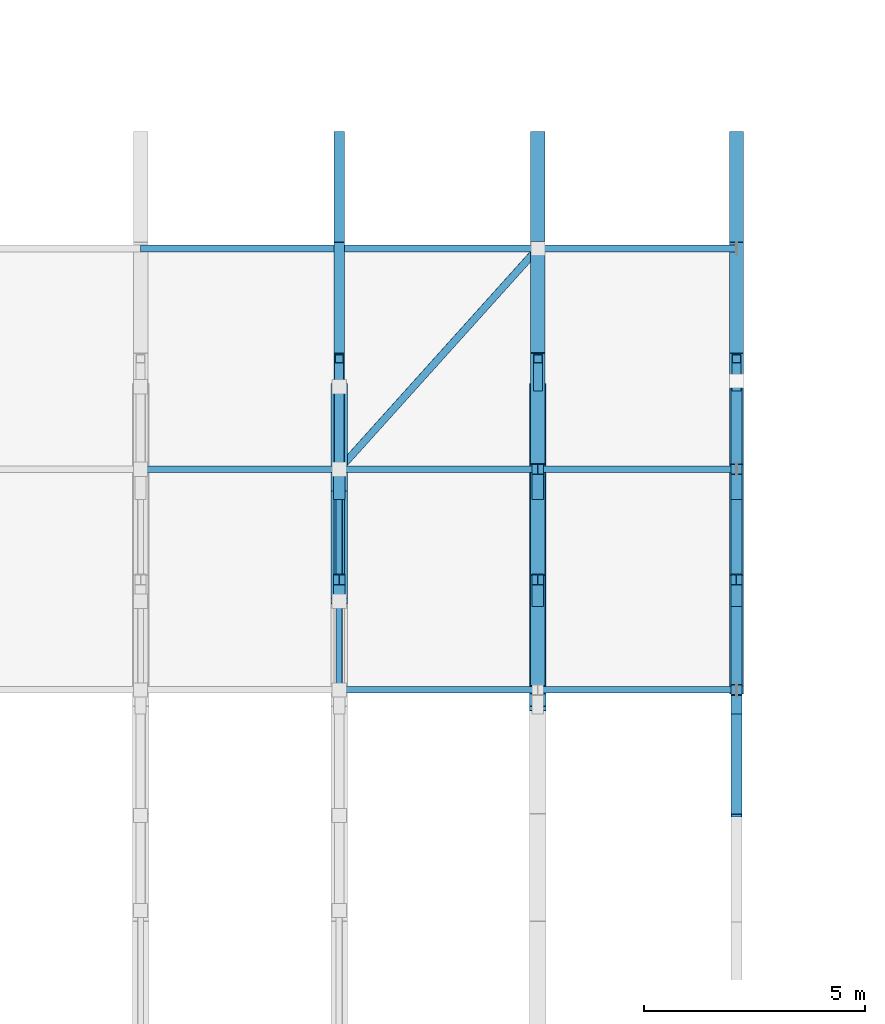
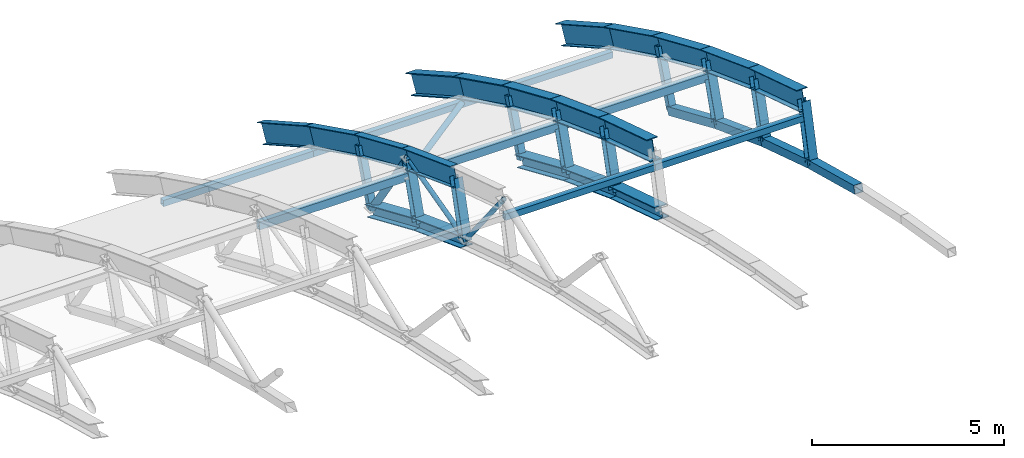
# One storey, part 71 of 103: 31 members, 14 beams.
"""IFC4 building model written with IfcOpenShell, lengths in metres."""

from ifc_helpers import new_model, si_unit, direction, frame, origin, origin_2d, place, context, subcontext, project, spatial, hollow_rectangle, hollow_circle, i_section, extrude, material, material_profile, profile_set, type_object, element, save


model = new_model("IFC4")

# Units and contexts
model_context = context("Model", 3, precision=1e-05, world=origin(), true_north=direction((0.0, 1.0)))
body_context = subcontext(model_context, "Body", "Model", "MODEL_VIEW")
ifc_project = project(units=[si_unit("LENGTHUNIT", "METRE"), si_unit("AREAUNIT", "SQUARE_METRE"), si_unit("VOLUMEUNIT", "CUBIC_METRE"), si_unit("PLANEANGLEUNIT", "RADIAN"), si_unit("MASSUNIT", "GRAM", prefix="KILO")], contexts=[model_context])

# Site, building, storey
site_placement = place(None, origin())
site = spatial("IfcSite", under=ifc_project, at=site_placement, CompositionType="ELEMENT")
building_placement = place(site_placement, origin())
building = spatial("IfcBuilding", under=site, at=building_placement, Name="Cazmaro Siding Exhibition Halls", CompositionType="ELEMENT")
storey_placement = place(building_placement, frame((0.0, 0.0, 16.5)))
storey = spatial("IfcBuildingStorey", under=building, at=storey_placement, Name="L03", CompositionType="ELEMENT", Elevation=16.5)

# Beams
ifc_material_1 = material(Name="Steel ASTM A992 Grade 50", Category="steel")
ifc_material_profile_1 = material_profile(ifc_material_1, i_section(OverallWidth=0.327880859375, OverallDepth=0.626953125, WebThickness=0.01708984375, FlangeThickness=0.028076171875, at=origin_2d()), Name="W24X146")
ifc_profile_set_1 = profile_set([ifc_material_profile_1], Name="Steel ASTM A992 Grade 50")
beam_type_1 = type_object("IfcBeamType", Name="AR-01", PredefinedType="USERDEFINED", material=ifc_profile_set_1)
beam_1_placement = place(storey_placement, frame((166.5, 109.0, 4.85498046875), z_axis=(0.0, 0.952769241759, -0.303695195811), x_axis=(-1.0, 0.0, 0.0)))
element("IfcBeam", 1, at=beam_1_placement, inside=storey, type_object=beam_type_1, Name="Space frame barrel vault arched rib AR-01 BM-1201", ObjectType="ARCHED RIB", PredefinedType="USERDEFINED", context=body_context, shape_type="SweptSolid", body=[
    extrude(i_section(OverallWidth=0.327880859375, OverallDepth=0.626953125, WebThickness=0.01708984375, FlangeThickness=0.028076171875, at=origin_2d()), origin(), (0.0, 0.0, 1.0), 2.6240234375),
])
beam_2_placement = place(storey_placement, frame((166.5, 111.5, 4.05810546875), z_axis=(0.0, 0.936509460339, -0.350642311615), x_axis=(-1.0, 0.0, 0.0)))
element("IfcBeam", 2, at=beam_2_placement, inside=storey, type_object=beam_type_1, Name="Space frame barrel vault arched rib AR-01 BM-1202", ObjectType="ARCHED RIB", PredefinedType="USERDEFINED", context=body_context, shape_type="SweptSolid", body=[
    extrude(i_section(OverallWidth=0.327880859375, OverallDepth=0.626953125, WebThickness=0.01708984375, FlangeThickness=0.028076171875, at=origin_2d()), origin(), (0.0, 0.0, 1.0), 2.66943359375),
])
beam_3_placement = place(storey_placement, frame((166.5, 114.0, 3.1220703125), z_axis=(0.0, 0.917729918626, -0.397204980405), x_axis=(-1.0, 0.0, 0.0)))
element("IfcBeam", 3, at=beam_3_placement, inside=storey, type_object=beam_type_1, Name="Space frame barrel vault arched rib AR-01 BM-1203", ObjectType="ARCHED RIB", PredefinedType="USERDEFINED", context=body_context, shape_type="SweptSolid", body=[
    extrude(i_section(OverallWidth=0.327880859375, OverallDepth=0.626953125, WebThickness=0.01708984375, FlangeThickness=0.028076171875, at=origin_2d()), origin(), (0.0, 0.0, 1.0), 2.72412109375),
])
beam_4_placement = place(storey_placement, frame((166.5, 116.5, 2.0400390625), z_axis=(0.0, 0.895996638269, -0.444060833908), x_axis=(-1.0, 0.0, 0.0)))
element("IfcBeam", 4, at=beam_4_placement, inside=storey, type_object=beam_type_1, Name="Space frame barrel vault arched rib AR-01 BM-1204", ObjectType="ARCHED RIB", PredefinedType="USERDEFINED", context=body_context, shape_type="SweptSolid", body=[
    extrude(i_section(OverallWidth=0.327880859375, OverallDepth=0.626953125, WebThickness=0.01708984375, FlangeThickness=0.028076171875, at=origin_2d()), origin(), (0.0, 0.0, 1.0), 2.790283203125),
])
beam_5_placement = place(storey_placement, frame((166.5, 119.0, 0.801025390625), z_axis=(0.0, 0.871320907359, -0.490713639916), x_axis=(-1.0, 0.0, 0.0)))
element("IfcBeam", 5, at=beam_5_placement, inside=storey, type_object=beam_type_1, Name="Space frame barrel vault arched rib AR-01 BM-1205", ObjectType="ARCHED RIB", PredefinedType="USERDEFINED", context=body_context, shape_type="SweptSolid", body=[
    extrude(i_section(OverallWidth=0.327880859375, OverallDepth=0.626953125, WebThickness=0.01708984375, FlangeThickness=0.028076171875, at=origin_2d()), origin(), (0.0, 0.0, 1.0), 2.869140625),
])
ifc_material_2 = material(Name="Steel ASTM A992 Grade 50", Category="steel")
ifc_material_profile_2 = material_profile(ifc_material_2, i_section(OverallWidth=0.324951171875, OverallDepth=0.612060546875, WebThickness=0.012939453125, FlangeThickness=0.01904296875, at=origin_2d()), Name="W24X104")
ifc_profile_set_2 = profile_set([ifc_material_profile_2], Name="Steel ASTM A992 Grade 50")
beam_type_2 = type_object("IfcBeamType", Name="AR-02", PredefinedType="USERDEFINED", material=ifc_profile_set_2)
beam_6_placement = place(storey_placement, frame((171.0, 109.0, 4.85498046875), z_axis=(0.0, 0.952769241759, -0.303695195811), x_axis=(-1.0, 0.0, 0.0)))
element("IfcBeam", 6, at=beam_6_placement, inside=storey, type_object=beam_type_2, Name="Space frame barrel vault arched rib AR-02 BM-1225", ObjectType="ARCHED RIB", PredefinedType="USERDEFINED", context=body_context, shape_type="SweptSolid", body=[
    extrude(i_section(OverallWidth=0.324951171875, OverallDepth=0.612060546875, WebThickness=0.012939453125, FlangeThickness=0.01904296875, at=origin_2d()), origin(), (0.0, 0.0, 1.0), 2.6240234375),
])
beam_7_placement = place(storey_placement, frame((171.0, 111.5, 4.05810546875), z_axis=(0.0, 0.936509460339, -0.350642311615), x_axis=(-1.0, 0.0, 0.0)))
element("IfcBeam", 7, at=beam_7_placement, inside=storey, type_object=beam_type_2, Name="Space frame barrel vault arched rib AR-02 BM-1226", ObjectType="ARCHED RIB", PredefinedType="USERDEFINED", context=body_context, shape_type="SweptSolid", body=[
    extrude(i_section(OverallWidth=0.324951171875, OverallDepth=0.612060546875, WebThickness=0.012939453125, FlangeThickness=0.01904296875, at=origin_2d()), origin(), (0.0, 0.0, 1.0), 2.66943359375),
])
beam_8_placement = place(storey_placement, frame((171.0, 114.0, 3.1220703125), z_axis=(0.0, 0.917729918626, -0.397204980405), x_axis=(-1.0, 0.0, 0.0)))
element("IfcBeam", 8, at=beam_8_placement, inside=storey, type_object=beam_type_2, Name="Space frame barrel vault arched rib AR-02 BM-1227", ObjectType="ARCHED RIB", PredefinedType="USERDEFINED", context=body_context, shape_type="SweptSolid", body=[
    extrude(i_section(OverallWidth=0.324951171875, OverallDepth=0.612060546875, WebThickness=0.012939453125, FlangeThickness=0.01904296875, at=origin_2d()), origin(), (0.0, 0.0, 1.0), 2.72412109375),
])
beam_9_placement = place(storey_placement, frame((171.0, 116.5, 2.0400390625), z_axis=(0.0, 0.895996638269, -0.444060833908), x_axis=(-1.0, 0.0, 0.0)))
element("IfcBeam", 9, at=beam_9_placement, inside=storey, type_object=beam_type_2, Name="Space frame barrel vault arched rib AR-02 BM-1228", ObjectType="ARCHED RIB", PredefinedType="USERDEFINED", context=body_context, shape_type="SweptSolid", body=[
    extrude(i_section(OverallWidth=0.324951171875, OverallDepth=0.612060546875, WebThickness=0.012939453125, FlangeThickness=0.01904296875, at=origin_2d()), origin(), (0.0, 0.0, 1.0), 2.790283203125),
])
beam_10_placement = place(storey_placement, frame((171.0, 119.0, 0.801025390625), z_axis=(0.0, 0.871320907359, -0.490713639916), x_axis=(-1.0, 0.0, 0.0)))
element("IfcBeam", 10, at=beam_10_placement, inside=storey, type_object=beam_type_2, Name="Space frame barrel vault arched rib AR-02 BM-1229", ObjectType="ARCHED RIB", PredefinedType="USERDEFINED", context=body_context, shape_type="SweptSolid", body=[
    extrude(i_section(OverallWidth=0.324951171875, OverallDepth=0.612060546875, WebThickness=0.012939453125, FlangeThickness=0.01904296875, at=origin_2d()), origin(), (0.0, 0.0, 1.0), 2.869140625),
])
ifc_material_3 = material(Name="Steel ASTM A992 Grade 50", Category="steel")
ifc_material_profile_3 = material_profile(ifc_material_3, i_section(OverallWidth=0.22900390625, OverallDepth=0.612060546875, WebThickness=0.011962890625, FlangeThickness=0.02001953125, at=origin_2d()), Name="W24X84")
ifc_profile_set_3 = profile_set([ifc_material_profile_3], Name="Steel ASTM A992 Grade 50")
beam_type_3 = type_object("IfcBeamType", Name="AR-03", PredefinedType="USERDEFINED", material=ifc_profile_set_3)
beam_11_placement = place(storey_placement, frame((162.0, 111.5, 4.05810546875), z_axis=(0.0, 0.936509460339, -0.350642311615), x_axis=(-1.0, 0.0, 0.0)))
element("IfcBeam", 11, at=beam_11_placement, inside=storey, type_object=beam_type_3, Name="Space frame barrel vault arched rib AR-03 BM-1178", ObjectType="ARCHED RIB", PredefinedType="USERDEFINED", context=body_context, shape_type="SweptSolid", body=[
    extrude(i_section(OverallWidth=0.22900390625, OverallDepth=0.612060546875, WebThickness=0.011962890625, FlangeThickness=0.02001953125, at=origin_2d()), origin(), (0.0, 0.0, 1.0), 2.66943359375),
])
beam_12_placement = place(storey_placement, frame((162.0, 114.0, 3.1220703125), z_axis=(0.0, 0.917729918626, -0.397204980405), x_axis=(-1.0, 0.0, 0.0)))
element("IfcBeam", 12, at=beam_12_placement, inside=storey, type_object=beam_type_3, Name="Space frame barrel vault arched rib AR-03 BM-1179", ObjectType="ARCHED RIB", PredefinedType="USERDEFINED", context=body_context, shape_type="SweptSolid", body=[
    extrude(i_section(OverallWidth=0.22900390625, OverallDepth=0.612060546875, WebThickness=0.011962890625, FlangeThickness=0.02001953125, at=origin_2d()), origin(), (0.0, 0.0, 1.0), 2.72412109375),
])
beam_13_placement = place(storey_placement, frame((162.0, 116.5, 2.0400390625), z_axis=(0.0, 0.895996638269, -0.444060833908), x_axis=(-1.0, 0.0, 0.0)))
element("IfcBeam", 13, at=beam_13_placement, inside=storey, type_object=beam_type_3, Name="Space frame barrel vault arched rib AR-03 BM-1180", ObjectType="ARCHED RIB", PredefinedType="USERDEFINED", context=body_context, shape_type="SweptSolid", body=[
    extrude(i_section(OverallWidth=0.22900390625, OverallDepth=0.612060546875, WebThickness=0.011962890625, FlangeThickness=0.02001953125, at=origin_2d()), origin(), (0.0, 0.0, 1.0), 2.790283203125),
])
beam_14_placement = place(storey_placement, frame((162.0, 119.0, 0.801025390625), z_axis=(0.0, 0.871320907359, -0.490713639916), x_axis=(-1.0, 0.0, 0.0)))
element("IfcBeam", 14, at=beam_14_placement, inside=storey, type_object=beam_type_3, Name="Space frame barrel vault arched rib AR-03 BM-1181", ObjectType="ARCHED RIB", PredefinedType="USERDEFINED", context=body_context, shape_type="SweptSolid", body=[
    extrude(i_section(OverallWidth=0.22900390625, OverallDepth=0.612060546875, WebThickness=0.011962890625, FlangeThickness=0.02001953125, at=origin_2d()), origin(), (0.0, 0.0, 1.0), 2.869140625),
])

# Members
ifc_material_4 = material(Name="Steel ASTM A500 Grade C", Category="steel")
ifc_material_profile_4 = material_profile(ifc_material_4, hollow_rectangle(XDim=0.152099609375, YDim=0.202880859375, WallThickness=0.011962890625, at=origin_2d()), Name="HSS8X6X1/2")
ifc_profile_set_4 = profile_set([ifc_material_profile_4], Name="Steel ASTM A500 Grade C")
member_type_1 = type_object("IfcMemberType", Name="RP-01", PredefinedType="PURLIN", material=ifc_profile_set_4)
for number, where, z_axis, x_axis, name in (
    (15, (157.5, 119.0, 0.260986328125), (1.0, 0.0, 0.0), (0.0, 1.0, 0.0), "Space frame barrel vault purlin RP-01 MEM-2273"),
    (16, (162.0, 109.0, 4.31494140625), (1.0, 0.0, 0.0), (0.0, 1.0, 0.0), "Space frame barrel vault purlin RP-01 MEM-2282"),
    (17, (162.0, 119.0, 0.260986328125), (1.0, 0.0, 0.0), (0.0, 1.0, 0.0), "Space frame barrel vault purlin RP-01 MEM-2284"),
    (18, (166.5, 109.0, 4.31494140625), (1.0, 0.0, 0.0), (0.0, 1.0, 0.0), "Space frame barrel vault purlin RP-01 MEM-2299"),
    (19, (166.5, 119.0, 0.260986328125), (1.0, 0.0, 0.0), (0.0, 1.0, 0.0), "Space frame barrel vault purlin RP-01 MEM-2301"),
):
    element("IfcMember", number, at=place(storey_placement, frame(where, z_axis=z_axis, x_axis=x_axis)), inside=storey, type_object=member_type_1, Name=name, PredefinedType="PURLIN", context=body_context, shape_type="SweptSolid", body=[
        extrude(hollow_rectangle(XDim=0.152099609375, YDim=0.202880859375, WallThickness=0.011962890625, at=origin_2d()), origin(), (0.0, 0.0, 1.0), 4.5),
    ])
ifc_material_5 = material(Name="Steel ASTM A500 Grade C", Category="steel")
ifc_material_profile_5 = material_profile(ifc_material_5, hollow_rectangle(XDim=0.152099609375, YDim=0.25390625, WallThickness=0.011962890625, at=origin_2d()), Name="HSS10X6X1/2")
ifc_profile_set_5 = profile_set([ifc_material_profile_5], Name="Steel ASTM A500 Grade C")
member_type_2 = type_object("IfcMemberType", Name="RP-04", PredefinedType="PURLIN", material=ifc_profile_set_5)
for number, where, z_axis, x_axis, name in (
    (20, (157.5, 114.0, 2.58203125), (1.0, 0.0, 0.0), (0.0, 1.0, 0.0), "Space frame barrel vault purlin RP-04 MEM-2272"),
    (21, (162.0, 114.0, 2.58203125), (1.0, 0.0, 0.0), (0.0, 1.0, 0.0), "Space frame barrel vault purlin RP-04 MEM-2283"),
    (22, (166.5, 114.0, 2.58203125), (1.0, 0.0, 0.0), (0.0, 1.0, 0.0), "Space frame barrel vault purlin RP-04 MEM-2300"),
):
    element("IfcMember", number, at=place(storey_placement, frame(where, z_axis=z_axis, x_axis=x_axis)), inside=storey, type_object=member_type_2, Name=name, PredefinedType="PURLIN", context=body_context, shape_type="SweptSolid", body=[
        extrude(hollow_rectangle(XDim=0.152099609375, YDim=0.25390625, WallThickness=0.011962890625, at=origin_2d()), origin(), (0.0, 0.0, 1.0), 4.5),
    ])
ifc_material_6 = material(Name="Steel ASTM A500 Grade C", Category="steel")
ifc_material_profile_6 = material_profile(ifc_material_6, hollow_rectangle(XDim=0.25390625, YDim=0.25390625, WallThickness=0.014892578125, at=origin_2d()), Name="HSS10X10X5/8")
ifc_profile_set_6 = profile_set([ifc_material_profile_6], Name="Steel ASTM A500 Grade C")
member_type_3 = type_object("IfcMemberType", Name="TC-01", PredefinedType="CHORD", material=ifc_profile_set_6)
member_1_placement = place(storey_placement, frame((171.0, 106.14990234375, 3.760986328125), z_axis=(0.0, 0.966437683387, -0.256901156343), x_axis=(-1.0, 0.0, 0.0)))
element("IfcMember", 23, at=member_1_placement, inside=storey, type_object=member_type_3, Name="Space frame barrel vault bottom chord TC-01 MEM-1934", PredefinedType="CHORD", context=body_context, shape_type="SweptSolid", body=[
    extrude(hollow_rectangle(XDim=0.25390625, YDim=0.25390625, WallThickness=0.014892578125, at=origin_2d()), origin(), (0.0, 0.0, 1.0), 2.5146484375),
])
member_2_placement = place(storey_placement, frame((171.0, 108.580078125, 3.114990234375), z_axis=(0.0, 0.952692842525, -0.303934775573), x_axis=(-1.0, 0.0, 0.0)))
element("IfcMember", 24, at=member_2_placement, inside=storey, type_object=member_type_3, Name="Space frame barrel vault bottom chord TC-01 MEM-1935", PredefinedType="CHORD", context=body_context, shape_type="SweptSolid", body=[
    extrude(hollow_rectangle(XDim=0.25390625, YDim=0.25390625, WallThickness=0.014892578125, at=origin_2d()), origin(), (0.0, 0.0, 1.0), 2.549560546875),
])
member_3_placement = place(storey_placement, frame((171.0, 111.009033203125, 2.340087890625), z_axis=(0.0, 0.936588022869, -0.350432412053), x_axis=(-1.0, 0.0, 0.0)))
element("IfcMember", 25, at=member_3_placement, inside=storey, type_object=member_type_3, Name="Space frame barrel vault bottom chord TC-01 MEM-1936", PredefinedType="CHORD", context=body_context, shape_type="SweptSolid", body=[
    extrude(hollow_rectangle(XDim=0.25390625, YDim=0.25390625, WallThickness=0.014892578125, at=origin_2d()), origin(), (0.0, 0.0, 1.0), 2.594482421875),
])
member_4_placement = place(storey_placement, frame((171.0, 113.43896484375, 1.430908203125), z_axis=(0.0, 0.917689003843, -0.397299499403), x_axis=(-1.0, 0.0, 0.0)))
element("IfcMember", 26, at=member_4_placement, inside=storey, type_object=member_type_3, Name="Space frame barrel vault bottom chord TC-01 MEM-1937", PredefinedType="CHORD", context=body_context, shape_type="SweptSolid", body=[
    extrude(hollow_rectangle(XDim=0.25390625, YDim=0.25390625, WallThickness=0.014892578125, at=origin_2d()), origin(), (0.0, 0.0, 1.0), 2.64794921875),
])
ifc_material_7 = material(Name="Steel ASTM A992 Grade 50", Category="steel")
ifc_material_profile_7 = material_profile(ifc_material_7, i_section(OverallWidth=0.37109375, OverallDepth=0.364013671875, WebThickness=0.012939453125, FlangeThickness=0.02197265625, at=origin_2d()), Name="W14X109")
ifc_profile_set_7 = profile_set([ifc_material_profile_7], Name="Steel ASTM A992 Grade 50")
member_type_4 = type_object("IfcMemberType", Name="TC-06", PredefinedType="CHORD", material=ifc_profile_set_7)
member_5_placement = place(storey_placement, frame((162.0, 111.009033203125, 2.340087890625), z_axis=(0.0, 0.936588022869, -0.350432412053), x_axis=(-1.0, 0.0, 0.0)))
element("IfcMember", 27, at=member_5_placement, inside=storey, type_object=member_type_4, Name="Space frame barrel vault bottom chord TC-06 MEM-1837", PredefinedType="CHORD", context=body_context, shape_type="SweptSolid", body=[
    extrude(i_section(OverallWidth=0.37109375, OverallDepth=0.364013671875, WebThickness=0.012939453125, FlangeThickness=0.02197265625, at=origin_2d()), origin(), (0.0, 0.0, 1.0), 2.594482421875),
])
member_6_placement = place(storey_placement, frame((162.0, 113.43896484375, 1.430908203125), z_axis=(0.0, 0.917689003843, -0.397299499403), x_axis=(-1.0, 0.0, 0.0)))
element("IfcMember", 28, at=member_6_placement, inside=storey, type_object=member_type_4, Name="Space frame barrel vault bottom chord TC-06 MEM-1839", PredefinedType="CHORD", context=body_context, shape_type="SweptSolid", body=[
    extrude(i_section(OverallWidth=0.37109375, OverallDepth=0.364013671875, WebThickness=0.012939453125, FlangeThickness=0.02197265625, at=origin_2d()), origin(), (0.0, 0.0, 1.0), 2.64794921875),
])
member_7_placement = place(storey_placement, frame((166.5, 108.580078125, 3.114990234375), z_axis=(0.0, 0.952692842525, -0.303934775573), x_axis=(-1.0, 0.0, 0.0)))
element("IfcMember", 29, at=member_7_placement, inside=storey, type_object=member_type_4, Name="Space frame barrel vault bottom chord TC-06 MEM-1888", PredefinedType="CHORD", context=body_context, shape_type="SweptSolid", body=[
    extrude(i_section(OverallWidth=0.37109375, OverallDepth=0.364013671875, WebThickness=0.012939453125, FlangeThickness=0.02197265625, at=origin_2d()), origin(), (0.0, 0.0, 1.0), 2.549560546875),
])
member_8_placement = place(storey_placement, frame((166.5, 111.009033203125, 2.340087890625), z_axis=(0.0, 0.936588022869, -0.350432412053), x_axis=(-1.0, 0.0, 0.0)))
element("IfcMember", 30, at=member_8_placement, inside=storey, type_object=member_type_4, Name="Space frame barrel vault bottom chord TC-06 MEM-1889", PredefinedType="CHORD", context=body_context, shape_type="SweptSolid", body=[
    extrude(i_section(OverallWidth=0.37109375, OverallDepth=0.364013671875, WebThickness=0.012939453125, FlangeThickness=0.02197265625, at=origin_2d()), origin(), (0.0, 0.0, 1.0), 2.594482421875),
])
member_9_placement = place(storey_placement, frame((166.5, 113.43896484375, 1.430908203125), z_axis=(0.0, 0.917689003843, -0.397299499403), x_axis=(-1.0, 0.0, 0.0)))
element("IfcMember", 31, at=member_9_placement, inside=storey, type_object=member_type_4, Name="Space frame barrel vault bottom chord TC-06 MEM-1890", PredefinedType="CHORD", context=body_context, shape_type="SweptSolid", body=[
    extrude(i_section(OverallWidth=0.37109375, OverallDepth=0.364013671875, WebThickness=0.012939453125, FlangeThickness=0.02197265625, at=origin_2d()), origin(), (0.0, 0.0, 1.0), 2.64794921875),
])
ifc_material_8 = material(Name="Steel ASTM A500 Grade C", Category="steel")
ifc_material_profile_8 = material_profile(ifc_material_8, hollow_rectangle(XDim=0.202880859375, YDim=0.202880859375, WallThickness=0.011962890625, at=origin_2d()), Name="HSS8X8X1/2")
ifc_profile_set_8 = profile_set([ifc_material_profile_8], Name="Steel ASTM A500 Grade C")
member_type_5 = type_object("IfcMemberType", Name="TP-01", PredefinedType="POST", material=ifc_profile_set_8)
for number, where, z_axis, x_axis, name in (
    (32, (162.0, 115.868896484375, 0.37890625), (0.0, 0.355155331276, 0.934807301355), (-1.0, 0.0, 0.0), "Space frame barrel vault post TP-01 MEM-1867"),
    (33, (166.5, 115.868896484375, 0.37890625), (0.0, 0.355155331276, 0.934807301355), (-1.0, 0.0, 0.0), "Space frame barrel vault post TP-01 MEM-1914"),
    (34, (171.0, 115.868896484375, 0.37890625), (0.0, 0.355155331276, 0.934807301355), (-1.0, 0.0, 0.0), "Space frame barrel vault post TP-01 MEM-1961"),
):
    element("IfcMember", number, at=place(storey_placement, frame(where, z_axis=z_axis, x_axis=x_axis)), inside=storey, type_object=member_type_5, Name=name, PredefinedType="POST", context=body_context, shape_type="SweptSolid", body=[
        extrude(hollow_rectangle(XDim=0.202880859375, YDim=0.202880859375, WallThickness=0.011962890625, at=origin_2d()), origin(), (0.0, 0.0, 1.0), 1.777099609375),
    ])
ifc_material_9 = material(Name="Steel ASTM A992 Grade 50", Category="steel")
ifc_material_profile_9 = material_profile(ifc_material_9, i_section(OverallWidth=0.25390625, OverallDepth=0.25390625, WebThickness=0.009033203125, FlangeThickness=0.013916015625, at=origin_2d()), Name="W10X49")
ifc_profile_set_9 = profile_set([ifc_material_profile_9], Name="Steel ASTM A992 Grade 50")
member_type_6 = type_object("IfcMemberType", Name="TP-04", PredefinedType="POST", material=ifc_profile_set_9)
member_10_placement = place(storey_placement, frame((162.0, 111.009033203125, 2.340087890625), z_axis=(0.0, 0.274775266308, 0.961508477875), x_axis=(-1.0, 0.0, 0.0)))
element("IfcMember", 35, at=member_10_placement, inside=storey, type_object=member_type_6, Name="Space frame barrel vault post TP-04 MEM-1865", PredefinedType="POST", context=body_context, shape_type="SweptSolid", body=[
    extrude(i_section(OverallWidth=0.25390625, OverallDepth=0.25390625, WebThickness=0.009033203125, FlangeThickness=0.013916015625, at=origin_2d()), origin(), (0.0, 0.0, 1.0), 1.786865234375),
])
member_11_placement = place(storey_placement, frame((162.0, 113.43896484375, 1.430908203125), z_axis=(0.0, 0.314870949103, 0.949134492794), x_axis=(-1.0, 0.0, 0.0)))
element("IfcMember", 36, at=member_11_placement, inside=storey, type_object=member_type_6, Name="Space frame barrel vault post TP-04 MEM-1866", PredefinedType="POST", context=body_context, shape_type="SweptSolid", body=[
    extrude(i_section(OverallWidth=0.25390625, OverallDepth=0.25390625, WebThickness=0.009033203125, FlangeThickness=0.013916015625, at=origin_2d()), origin(), (0.0, 0.0, 1.0), 1.78173828125),
])
member_12_placement = place(storey_placement, frame((166.5, 111.009033203125, 2.340087890625), z_axis=(0.0, 0.274775266308, 0.961508477875), x_axis=(-1.0, 0.0, 0.0)))
element("IfcMember", 37, at=member_12_placement, inside=storey, type_object=member_type_6, Name="Space frame barrel vault post TP-04 MEM-1912", PredefinedType="POST", context=body_context, shape_type="SweptSolid", body=[
    extrude(i_section(OverallWidth=0.25390625, OverallDepth=0.25390625, WebThickness=0.009033203125, FlangeThickness=0.013916015625, at=origin_2d()), origin(), (0.0, 0.0, 1.0), 1.786865234375),
])
member_13_placement = place(storey_placement, frame((166.5, 113.43896484375, 1.430908203125), z_axis=(0.0, 0.314870949103, 0.949134492794), x_axis=(-1.0, 0.0, 0.0)))
element("IfcMember", 38, at=member_13_placement, inside=storey, type_object=member_type_6, Name="Space frame barrel vault post TP-04 MEM-1913", PredefinedType="POST", context=body_context, shape_type="SweptSolid", body=[
    extrude(i_section(OverallWidth=0.25390625, OverallDepth=0.25390625, WebThickness=0.009033203125, FlangeThickness=0.013916015625, at=origin_2d()), origin(), (0.0, 0.0, 1.0), 1.78173828125),
])
member_14_placement = place(storey_placement, frame((171.0, 108.580078125, 3.114990234375), z_axis=(0.0, 0.234600533729, 0.972091862724), x_axis=(-1.0, 0.0, 0.0)))
element("IfcMember", 39, at=member_14_placement, inside=storey, type_object=member_type_6, Name="Space frame barrel vault post TP-04 MEM-1958", PredefinedType="POST", context=body_context, shape_type="SweptSolid", body=[
    extrude(i_section(OverallWidth=0.25390625, OverallDepth=0.25390625, WebThickness=0.009033203125, FlangeThickness=0.013916015625, at=origin_2d()), origin(), (0.0, 0.0, 1.0), 1.7900390625),
])
member_15_placement = place(storey_placement, frame((171.0, 111.009033203125, 2.340087890625), z_axis=(0.0, 0.274775266308, 0.961508477875), x_axis=(-1.0, 0.0, 0.0)))
element("IfcMember", 40, at=member_15_placement, inside=storey, type_object=member_type_6, Name="Space frame barrel vault post TP-04 MEM-1959", PredefinedType="POST", context=body_context, shape_type="SweptSolid", body=[
    extrude(i_section(OverallWidth=0.25390625, OverallDepth=0.25390625, WebThickness=0.009033203125, FlangeThickness=0.013916015625, at=origin_2d()), origin(), (0.0, 0.0, 1.0), 1.786865234375),
])
member_16_placement = place(storey_placement, frame((171.0, 113.43896484375, 1.430908203125), z_axis=(0.0, 0.314870949103, 0.949134492794), x_axis=(-1.0, 0.0, 0.0)))
element("IfcMember", 41, at=member_16_placement, inside=storey, type_object=member_type_6, Name="Space frame barrel vault post TP-04 MEM-1960", PredefinedType="POST", context=body_context, shape_type="SweptSolid", body=[
    extrude(i_section(OverallWidth=0.25390625, OverallDepth=0.25390625, WebThickness=0.009033203125, FlangeThickness=0.013916015625, at=origin_2d()), origin(), (0.0, 0.0, 1.0), 1.78173828125),
])
ifc_material_10 = material(Name="Steel ASTM A500 Grade C", Category="steel")
ifc_material_profile_10 = material_profile(ifc_material_10, hollow_circle(Radius=0.109619140625, WallThickness=0.012939453125, at=origin_2d()), Name="PIPE8XS")
ifc_profile_set_10 = profile_set([ifc_material_profile_10], Name="Steel ASTM A500 Grade C")
member_type_7 = type_object("IfcMemberType", Name="WB-01", PredefinedType="BRACE", material=ifc_profile_set_10)
member_17_placement = place(storey_placement, frame((162.0, 114.0, 3.1220703125), z_axis=(0.0, 0.563040090795, -0.826429583302), x_axis=(-1.0, 0.0, 0.0)))
element("IfcMember", 42, at=member_17_placement, inside=storey, type_object=member_type_7, Name="Space frame barrel vault diagonal WB-01 MEM-1840", PredefinedType="BRACE", context=body_context, shape_type="SweptSolid", body=[
    extrude(hollow_circle(Radius=0.109619140625, WallThickness=0.012939453125, at=origin_2d()), origin(), (0.0, 0.0, 1.0), 3.3193359375),
])
ifc_material_11 = material(Name="Steel ASTM A500 Grade C", Category="steel")
ifc_material_profile_11 = material_profile(ifc_material_11, hollow_circle(Radius=0.083984375, WallThickness=0.01806640625, at=origin_2d()), Name="PIPE6XXS")
ifc_profile_set_11 = profile_set([ifc_material_profile_11], Name="Steel ASTM A500 Grade C")
member_type_8 = type_object("IfcMemberType", Name="WB-05", PredefinedType="BRACE", material=ifc_profile_set_11)
member_18_placement = place(storey_placement, frame((162.0, 114.0, 2.58203125), z_axis=(0.632379029545, 0.702643366161, -0.326173363384), x_axis=(-0.743294146247, 0.668964731622, 0.0)))
element("IfcMember", 43, at=member_18_placement, inside=storey, type_object=member_type_8, Name="Space frame barrel vault wind brace WB-05 MEM-2288", PredefinedType="BRACE", context=body_context, shape_type="SweptSolid", body=[
    extrude(hollow_circle(Radius=0.083984375, WallThickness=0.01806640625, at=origin_2d()), origin(), (0.0, 0.0, 1.0), 7.115966796875),
])
ifc_material_12 = material(Name="Steel ASTM A500 Grade C", Category="steel")
ifc_material_profile_12 = material_profile(ifc_material_12, hollow_circle(Radius=0.070556640625, WallThickness=0.01904296875, at=origin_2d()), Name="PIPE5XXS")
ifc_profile_set_12 = profile_set([ifc_material_profile_12], Name="Steel ASTM A500 Grade C")
member_type_9 = type_object("IfcMemberType", Name="WB-07", PredefinedType="BRACE", material=ifc_profile_set_12)
member_19_placement = place(storey_placement, frame((162.0, 109.0, 4.85498046875), z_axis=(0.0, 0.624149162907, -0.781305204412), x_axis=(-1.0, 0.0, 0.0)))
element("IfcMember", 44, at=member_19_placement, inside=storey, type_object=member_type_9, Name="Space frame barrel vault diagonal WB-07 MEM-1836", PredefinedType="BRACE", context=body_context, shape_type="SweptSolid", body=[
    extrude(hollow_circle(Radius=0.070556640625, WallThickness=0.01904296875, at=origin_2d()), origin(), (0.0, 0.0, 1.0), 3.21875),
])
member_20_placement = place(storey_placement, frame((162.0, 111.009033203125, 2.340087890625), z_axis=(0.0, 0.967480432857, 0.252945867802), x_axis=(-1.0, 0.0, 0.0)))
element("IfcMember", 45, at=member_20_placement, inside=storey, type_object=member_type_9, Name="Space frame barrel vault diagonal WB-07 MEM-1838", PredefinedType="BRACE", context=body_context, shape_type="SweptSolid", body=[
    extrude(hollow_circle(Radius=0.070556640625, WallThickness=0.01904296875, at=origin_2d()), origin(), (0.0, 0.0, 1.0), 3.091552734375),
])

save(model, "model.ifc")
